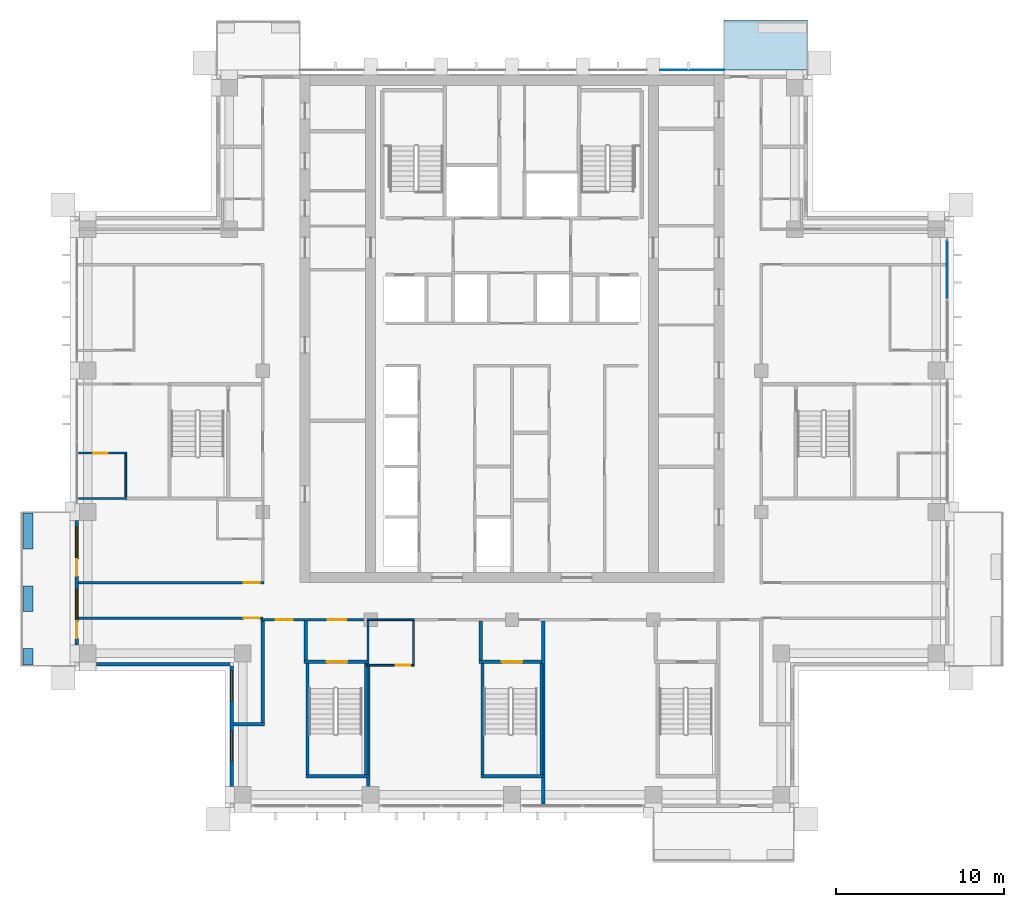
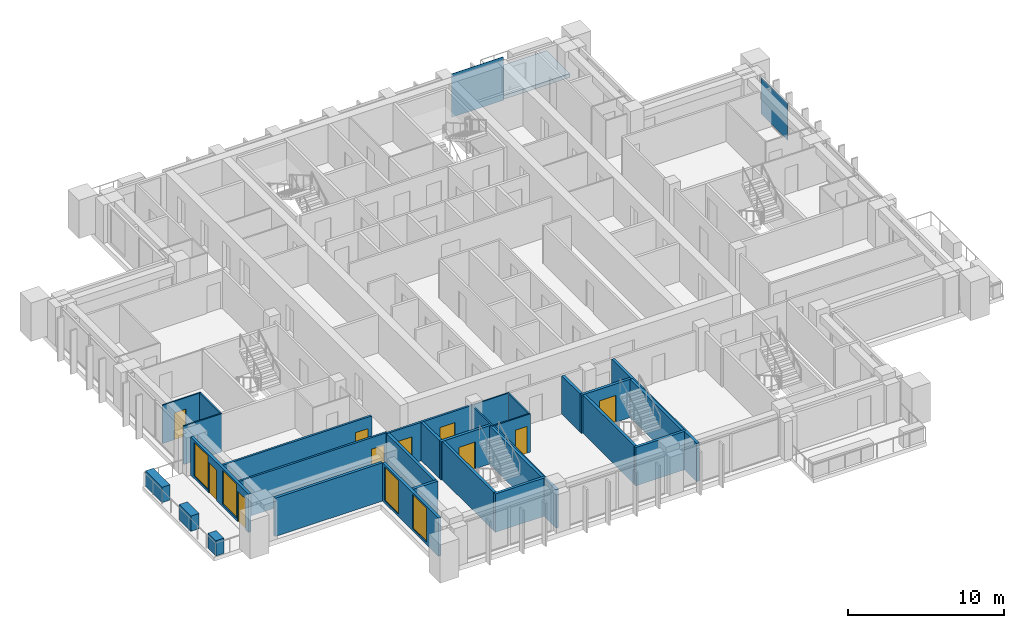
# One storey, part 9 of 19: 30 walls, 10 doors, 4 windows, 2 plates, 1 slab, 14 openings, 1 element without a shape of its own.
"""IFC4 building model written with IfcOpenShell, lengths in metres."""

from ifc_helpers import new_model, si_unit, direction, frame, frame_2d, origin, origin_2d, place, context, subcontext, project, spatial, polyline, rectangle, outline, extrude, material, layer, layer_set, type_object, element, fill, aggregate, save


model = new_model("IFC4")

# Units and contexts
model_context = context("Model", 3, precision=1e-05, world=origin(), true_north=direction((0.0, 1.0)))
body_context = subcontext(model_context, "Body", "Model", "MODEL_VIEW")
ifc_project = project(units=[si_unit("LENGTHUNIT", "METRE"), si_unit("AREAUNIT", "SQUARE_METRE"), si_unit("VOLUMEUNIT", "CUBIC_METRE"), si_unit("PLANEANGLEUNIT", "RADIAN"), si_unit("MASSUNIT", "GRAM", prefix="KILO")], contexts=[model_context])

# Site, building, storey
site_placement = place(None, origin())
site = spatial("IfcSite", under=ifc_project, at=site_placement, CompositionType="ELEMENT")
building_placement = place(site_placement, origin())
building = spatial("IfcBuilding", under=site, at=building_placement, Name="Vermilion Ogive Tower", CompositionType="ELEMENT")
storey_placement = place(building_placement, frame((0.0, 0.0, 213.5)))
storey = spatial("IfcBuildingStorey", under=building, at=storey_placement, Name="L56", CompositionType="ELEMENT", Elevation=213.5)

# Slab
ifc_material_1 = material(Name="Concrete B40", Category="concrete")
ifc_layer_1 = layer(ifc_material_1, 0.300048828125)
ifc_layer_set_1 = layer_set([ifc_layer_1], Name="Balcony slab")
slab_type = type_object("IfcSlabType", Name="Balcony slab", PredefinedType="FLOOR", material=ifc_layer_set_1)
slab_placement = place(storey_placement, frame((0.0, 0.0, -0.340087890625)))
element("IfcSlab", 1, at=slab_placement, inside=storey, type_object=slab_type, Name="Balcony slab N101", PredefinedType="FLOOR", context=body_context, shape_type="SweptSolid", body=[
    extrude(outline(polyline([(17.550048828125, 25.030029296875), (12.60009765625, 25.030029296875), (12.60009765625, 22.050048828125), (17.550048828125, 22.050048828125), (17.550048828125, 25.030029296875)])), origin(), (0.0, 0.0, 1.0), 0.300048828125),
])

# Curtain wall, plate
ifc_material_2 = material(Name="Low-iron laminated glazing in aluminium frame", Category="aluminium")
curtain_wall_type = type_object("IfcCurtainWallType", Name="Curtain wall CW7", PredefinedType="NOTDEFINED", material=ifc_material_2)
curtain_wall_placement = place(storey_placement, origin())
curtain_wall = element("IfcCurtainWall", 2, at=curtain_wall_placement, inside=storey, type_object=curtain_wall_type, Name="Glazed skin E3", PredefinedType="NOTDEFINED")
ifc_material_3 = material(Name="Low-iron laminated glazing in aluminium frame", Category="aluminium")
ifc_layer_2 = layer(ifc_material_3, 0.031982421875)
ifc_layer_set_2 = layer_set([ifc_layer_2], Name="CW7 glazing panel 32")
plate_type_1 = type_object("IfcPlateType", Name="CW7 glazing panel 32", PredefinedType="CURTAIN_PANEL", material=ifc_layer_set_2)
plate_1_placement = place(storey_placement, frame((25.85009765625, 10.205078125, 0.06005859375), z_axis=(0.0, 0.0, 1.0), x_axis=(0.0, 1.0, 0.0)))
plate_1 = element("IfcPlate", 3, at=plate_1_placement, type_object=plate_type_1, Name="CW7-E3 panel 2.1", PredefinedType="CURTAIN_PANEL", context=body_context, shape_type="SweptSolid", body=[
    extrude(rectangle(XDim=3.429931640625, YDim=0.031982421875, at=origin_2d()), origin(), (0.0, 0.0, 1.0), 2.8798828125),
])
aggregate(curtain_wall, [plate_1])

# Plate
ifc_material_4 = material(Name="Low-iron laminated glazing in aluminium frame", Category="aluminium")
ifc_layer_3 = layer(ifc_material_4, 0.031982421875)
ifc_layer_set_3 = layer_set([ifc_layer_3], Name="Glazed rainscreen sheet 32")
plate_type_2 = type_object("IfcPlateType", Name="Glazed rainscreen sheet 32", PredefinedType="SHEET", material=ifc_layer_set_3)
plate_2_placement = place(storey_placement, frame((10.7099609375, 22.06591796875, -0.39990234375), z_axis=(0.0, 0.0, 1.0), x_axis=(1.0, 0.0, 0.0)))
element("IfcPlate", 4, at=plate_2_placement, inside=storey, type_object=plate_type_2, Name="Glazed rainscreen sheet N6", PredefinedType="SHEET", context=body_context, shape_type="SweptSolid", body=[
    extrude(rectangle(XDim=3.820068359375, YDim=0.031982421875, at=origin_2d()), origin(), (0.0, 0.0, 1.0), 3.39990234375),
])

# Wall, opening, door
ifc_material_5 = material(Name="Gypsum board partition on steel studs", Category="steel")
ifc_layer_4 = layer(ifc_material_5, 0.10009765625)
ifc_layer_set_4 = layer_set([ifc_layer_4], Name="Partition 100 bath")
wall_type_1 = type_object("IfcWallType", Name="Partition 100 bath", PredefinedType="PARTITIONING", material=ifc_layer_set_4)
wall_1_placement = place(storey_placement, frame((-8.64990234375, -13.300048828125, 0.0), z_axis=(0.0, 0.0, 1.0), x_axis=(1.0, 0.0, 0.0)))
wall_1 = element("IfcWall", 5, at=wall_1_placement, inside=storey, type_object=wall_type_1, Name="L56-W-W006", PredefinedType="PARTITIONING", context=body_context, shape_type="SweptSolid", body=[
    extrude(rectangle(XDim=2.847900390625, YDim=0.10009765625, at=frame_2d((1.423828125, 0.0))), origin(), (0.0, 0.0, 1.0), 3.0),
])
opening_1_placement = place(wall_1_placement, frame((1.75, 0.0, 0.0)))
opening_1 = element("IfcOpeningElement", 6, at=opening_1_placement, cuts=wall_1, Name="Opening D4G6012", PredefinedType="OPENING", context=body_context, shape_type="SweptSolid", body=[
    extrude(rectangle(XDim=0.85009765625, YDim=2.10009765625, at=frame_2d((0.425048828125, 1.050048828125))), frame((0.0, 0.06005859375, 0.0), z_axis=(0.0, -1.0, 0.0), x_axis=(1.0, 0.0, 0.0)), (0.0, 0.0, 1.0), 0.1201171875),
])
ifc_material_6 = material(Name="Timber door leaf", Category="wood")
door_type_1 = type_object("IfcDoorType", Name="Bath door 850 x 2100 FD30", OperationType="SINGLE_SWING_LEFT", PredefinedType="DOOR", material=ifc_material_6)
door_1_placement = place(opening_1_placement, origin())
door_1 = element("IfcDoor", 7, at=door_1_placement, inside=storey, type_object=door_type_1, Name="L56-D-D012", OperationType="SINGLE_SWING_RIGHT", OverallHeight=2.10009765625, OverallWidth=0.85009765625, PredefinedType="DOOR", context=body_context, shape_type="SweptSolid", body=[
    extrude(rectangle(XDim=0.85009765625, YDim=2.10009765625, at=frame_2d((0.425048828125, 1.050048828125))), frame((0.0, 0.02490234375, 0.0), z_axis=(0.0, -1.0, 0.0), x_axis=(1.0, 0.0, 0.0)), (0.0, 0.0, 1.0), 0.050048828125),
])
fill(opening_1, door_1)

# Walls
wall_2_placement = place(storey_placement, frame((-8.60009765625, -10.60009765625, 0.0), z_axis=(0.0, 0.0, 1.0), x_axis=(1.0, 0.0, 0.0)))
element("IfcWall", 8, at=wall_2_placement, inside=storey, type_object=wall_type_1, Name="L56-W-W011", PredefinedType="PARTITIONING", context=body_context, shape_type="SweptSolid", body=[
    extrude(rectangle(XDim=2.800048828125, YDim=0.10009765625, at=frame_2d((1.39990234375, 0.0))), origin(), (0.0, 0.0, 1.0), 3.0),
])
wall_3_placement = place(storey_placement, frame((-25.75, -3.39990234375, 0.0), z_axis=(0.0, 0.0, 1.0), x_axis=(1.0, 0.0, 0.0)))
element("IfcWall", 9, at=wall_3_placement, inside=storey, type_object=wall_type_1, Name="L56-W-W018", PredefinedType="PARTITIONING", context=body_context, shape_type="SweptSolid", body=[
    extrude(rectangle(XDim=2.85009765625, YDim=0.10009765625, at=frame_2d((1.425048828125, 0.0))), origin(), (0.0, 0.0, 1.0), 3.0),
])

# Wall, opening, door
wall_4_placement = place(storey_placement, frame((-25.75, -0.699951171875, 0.0), z_axis=(0.0, 0.0, 1.0), x_axis=(1.0, 0.0, 0.0)))
wall_4 = element("IfcWall", 10, at=wall_4_placement, inside=storey, type_object=wall_type_1, Name="L56-W-W023", PredefinedType="PARTITIONING", context=body_context, shape_type="SweptSolid", body=[
    extrude(rectangle(XDim=2.85009765625, YDim=0.10009765625, at=frame_2d((1.425048828125, 0.0))), origin(), (0.0, 0.0, 1.0), 3.0),
])
opening_2_placement = place(wall_4_placement, frame((0.875, 0.0, 0.0)))
opening_2 = element("IfcOpeningElement", 11, at=opening_2_placement, cuts=wall_4, Name="Opening D4G6007", PredefinedType="OPENING", context=body_context, shape_type="SweptSolid", body=[
    extrude(rectangle(XDim=0.85009765625, YDim=2.10009765625, at=frame_2d((0.425048828125, 1.050048828125))), frame((0.0, 0.06005859375, 0.0), z_axis=(0.0, -1.0, 0.0), x_axis=(1.0, 0.0, 0.0)), (0.0, 0.0, 1.0), 0.1201171875),
])
door_2_placement = place(opening_2_placement, origin())
door_2 = element("IfcDoor", 12, at=door_2_placement, inside=storey, type_object=door_type_1, Name="L56-D-D007", OperationType="SINGLE_SWING_RIGHT", OverallHeight=2.10009765625, OverallWidth=0.85009765625, PredefinedType="DOOR", context=body_context, shape_type="SweptSolid", body=[
    extrude(rectangle(XDim=0.85009765625, YDim=2.10009765625, at=frame_2d((0.425048828125, 1.050048828125))), frame((0.0, 0.02490234375, 0.0), z_axis=(0.0, -1.0, 0.0), x_axis=(1.0, 0.0, 0.0)), (0.0, 0.0, 1.0), 0.050048828125),
])
fill(opening_2, door_2)

# Walls
wall_5_placement = place(storey_placement, frame((-22.949951171875, -3.300048828125, 0.0), z_axis=(0.0, 0.0, 1.0), x_axis=(0.0, 1.0, 0.0)))
element("IfcWall", 13, at=wall_5_placement, inside=storey, type_object=wall_type_1, Name="L56-W-W041", PredefinedType="PARTITIONING", context=body_context, shape_type="SweptSolid", body=[
    extrude(rectangle(XDim=2.550048828125, YDim=0.10009765625, at=frame_2d((1.27490234375, 0.0))), origin(), (0.0, 0.0, 1.0), 3.0),
])
wall_6_placement = place(storey_placement, frame((-8.550048828125, -13.25, 0.0), z_axis=(0.0, 0.0, 1.0), x_axis=(0.0, 1.0, 0.0)))
element("IfcWall", 14, at=wall_6_placement, inside=storey, type_object=wall_type_1, Name="L56-W-W057", PredefinedType="PARTITIONING", context=body_context, shape_type="SweptSolid", body=[
    extrude(rectangle(XDim=2.574951171875, YDim=0.10009765625, at=frame_2d((1.28759765625, 0.0))), origin(), (0.0, 0.0, 1.0), 3.0),
])
wall_7_placement = place(storey_placement, frame((-5.85009765625, -13.248046875, 0.0), z_axis=(0.0, 0.0, 1.0), x_axis=(0.0, 1.0, 0.0)))
element("IfcWall", 15, at=wall_7_placement, inside=storey, type_object=wall_type_1, Name="L56-W-W058", PredefinedType="PARTITIONING", context=body_context, shape_type="SweptSolid", body=[
    extrude(rectangle(XDim=2.572998046875, YDim=0.10009765625, at=frame_2d((1.28662109375, 0.0))), origin(), (0.0, 0.0, 1.0), 3.0),
])

# Wall, openings, doors
ifc_material_7 = material(Name="Gypsum board partition on steel studs", Category="steel")
ifc_layer_5 = layer(ifc_material_7, 0.14990234375)
ifc_layer_set_5 = layer_set([ifc_layer_5], Name="Partition 150 corridor")
wall_type_2 = type_object("IfcWallType", Name="Partition 150 corridor", PredefinedType="PARTITIONING", material=ifc_layer_set_5)
wall_8_placement = place(storey_placement, frame((-14.89990234375, -10.60009765625, 0.0), z_axis=(0.0, 0.0, 1.0), x_axis=(1.0, 0.0, 0.0)))
wall_8 = element("IfcWall", 16, at=wall_8_placement, inside=storey, type_object=wall_type_2, Name="L56-W-W010", PredefinedType="PARTITIONING", context=body_context, shape_type="SweptSolid", body=[
    extrude(rectangle(XDim=6.39990234375, YDim=0.14990234375, at=frame_2d((3.199951171875, 0.0))), origin(), (0.0, 0.0, 1.0), 3.0),
])
opening_3_placement = place(wall_8_placement, frame((3.949951171875, 0.0, 0.0)))
opening_3 = element("IfcOpeningElement", 17, at=opening_3_placement, cuts=wall_8, Name="Opening D4G6023", PredefinedType="OPENING", context=body_context, shape_type="SweptSolid", body=[
    extrude(rectangle(XDim=1.10009765625, YDim=2.10009765625, at=frame_2d((0.550048828125, 1.050048828125))), frame((0.0, 0.0849609375, 0.0), z_axis=(0.0, -1.0, 0.0), x_axis=(1.0, 0.0, 0.0)), (0.0, 0.0, 1.0), 0.169921875),
])
opening_4_placement = place(wall_8_placement, frame((0.875, 0.0, 0.0)))
opening_4 = element("IfcOpeningElement", 18, at=opening_4_placement, cuts=wall_8, Name="Opening D4G6033", PredefinedType="OPENING", context=body_context, shape_type="SweptSolid", body=[
    extrude(rectangle(XDim=1.0, YDim=2.10009765625, at=frame_2d((0.5, 1.050048828125))), frame((0.0, 0.0849609375, 0.0), z_axis=(0.0, -1.0, 0.0), x_axis=(1.0, 0.0, 0.0)), (0.0, 0.0, 1.0), 0.169921875),
])
ifc_material_8 = material(Name="Timber door leaf", Category="wood")
door_type_2 = type_object("IfcDoorType", Name="Stair door 1100 x 2100 FD60S", OperationType="SINGLE_SWING_LEFT", PredefinedType="DOOR", material=ifc_material_8)
door_3_placement = place(opening_3_placement, origin())
door_3 = element("IfcDoor", 19, at=door_3_placement, inside=storey, type_object=door_type_2, Name="L56-D-D023", OperationType="SINGLE_SWING_RIGHT", OverallHeight=2.10009765625, OverallWidth=1.10009765625, PredefinedType="DOOR", context=body_context, shape_type="SweptSolid", body=[
    extrude(rectangle(XDim=1.10009765625, YDim=2.10009765625, at=frame_2d((0.550048828125, 1.050048828125))), frame((0.0, 0.02490234375, 0.0), z_axis=(0.0, -1.0, 0.0), x_axis=(1.0, 0.0, 0.0)), (0.0, 0.0, 1.0), 0.050048828125),
])
fill(opening_3, door_3)
ifc_material_9 = material(Name="Timber door leaf", Category="wood")
door_type_3 = type_object("IfcDoorType", Name="Unit door 1000 x 2100 FD30S", OperationType="SINGLE_SWING_LEFT", PredefinedType="DOOR", material=ifc_material_9)
door_4_placement = place(opening_4_placement, origin())
door_4 = element("IfcDoor", 20, at=door_4_placement, inside=storey, type_object=door_type_3, Name="L56-D-D033", OperationType="SINGLE_SWING_RIGHT", OverallHeight=2.10009765625, OverallWidth=1.0, PredefinedType="DOOR", context=body_context, shape_type="SweptSolid", body=[
    extrude(rectangle(XDim=1.0, YDim=2.10009765625, at=frame_2d((0.5, 1.050048828125))), frame((0.0, 0.02490234375, 0.0), z_axis=(0.0, -1.0, 0.0), x_axis=(1.0, 0.0, 0.0)), (0.0, 0.0, 1.0), 0.050048828125),
])
fill(opening_4, door_4)

# Wall, opening, door
wall_9_placement = place(storey_placement, frame((-25.75, -10.5, 0.0), z_axis=(0.0, 0.0, 1.0), x_axis=(1.0, 0.0, 0.0)))
wall_9 = element("IfcWall", 21, at=wall_9_placement, inside=storey, type_object=wall_type_2, Name="L56-W-W013", PredefinedType="PARTITIONING", context=body_context, shape_type="SweptSolid", body=[
    extrude(rectangle(XDim=10.949951171875, YDim=0.14990234375, at=frame_2d((5.47509765625, 0.0))), origin(), (0.0, 0.0, 1.0), 3.0),
])
opening_5_placement = place(wall_9_placement, frame((9.800048828125, 0.0, 0.0)))
opening_5 = element("IfcOpeningElement", 22, at=opening_5_placement, cuts=wall_9, Name="Opening D4G6001", PredefinedType="OPENING", context=body_context, shape_type="SweptSolid", body=[
    extrude(rectangle(XDim=0.949951171875, YDim=2.10009765625, at=frame_2d((0.47509765625, 1.050048828125))), frame((0.0, 0.0849609375, 0.0), z_axis=(0.0, -1.0, 0.0), x_axis=(1.0, 0.0, 0.0)), (0.0, 0.0, 1.0), 0.169921875),
])
ifc_material_10 = material(Name="Timber door leaf", Category="wood")
door_type_4 = type_object("IfcDoorType", Name="Unit door 950 x 2100 FD30S", OperationType="SINGLE_SWING_LEFT", PredefinedType="DOOR", material=ifc_material_10)
door_5_placement = place(opening_5_placement, origin())
door_5 = element("IfcDoor", 23, at=door_5_placement, inside=storey, type_object=door_type_4, Name="L56-D-D001", OperationType="SINGLE_SWING_RIGHT", OverallHeight=2.10009765625, OverallWidth=0.949951171875, PredefinedType="DOOR", context=body_context, shape_type="SweptSolid", body=[
    extrude(rectangle(XDim=0.949951171875, YDim=2.10009765625, at=frame_2d((0.47509765625, 1.050048828125))), frame((0.0, 0.02490234375, 0.0), z_axis=(0.0, -1.0, 0.0), x_axis=(1.0, 0.0, 0.0)), (0.0, 0.0, 1.0), 0.050048828125),
])
fill(opening_5, door_5)

wall_10_placement = place(storey_placement, frame((-25.75, -8.39990234375, 0.0), z_axis=(0.0, 0.0, 1.0), x_axis=(1.0, 0.0, 0.0)))
wall_10 = element("IfcWall", 24, at=wall_10_placement, inside=storey, type_object=wall_type_2, Name="L56-W-W015", PredefinedType="PARTITIONING", context=body_context, shape_type="SweptSolid", body=[
    extrude(rectangle(XDim=11.02490234375, YDim=0.14990234375, at=frame_2d((5.512451171875, 0.0))), origin(), (0.0, 0.0, 1.0), 3.0),
])
opening_6_placement = place(wall_10_placement, frame((9.800048828125, 0.0, 0.0)))
opening_6 = element("IfcOpeningElement", 25, at=opening_6_placement, cuts=wall_10, Name="Opening D4G6002", PredefinedType="OPENING", context=body_context, shape_type="SweptSolid", body=[
    extrude(rectangle(XDim=0.949951171875, YDim=2.10009765625, at=frame_2d((0.47509765625, 1.050048828125))), frame((0.0, 0.0849609375, 0.0), z_axis=(0.0, -1.0, 0.0), x_axis=(1.0, 0.0, 0.0)), (0.0, 0.0, 1.0), 0.169921875),
])
door_6_placement = place(opening_6_placement, origin())
door_6 = element("IfcDoor", 26, at=door_6_placement, inside=storey, type_object=door_type_4, Name="L56-D-D002", OperationType="SINGLE_SWING_LEFT", OverallHeight=2.10009765625, OverallWidth=0.949951171875, PredefinedType="DOOR", context=body_context, shape_type="SweptSolid", body=[
    extrude(rectangle(XDim=0.949951171875, YDim=2.10009765625, at=frame_2d((0.47509765625, 1.050048828125))), frame((0.0, 0.02490234375, 0.0), z_axis=(0.0, -1.0, 0.0), x_axis=(1.0, 0.0, 0.0)), (0.0, 0.0, 1.0), 0.050048828125),
])
fill(opening_6, door_6)

# Walls
ifc_material_11 = material(Name="Gypsum board partition on steel studs", Category="steel")
ifc_layer_6 = layer(ifc_material_11, 0.199951171875)
ifc_layer_set_6 = layer_set([ifc_layer_6], Name="Partition 200 party")
wall_type_3 = type_object("IfcWallType", Name="Partition 200 party", PredefinedType="PARTITIONING", material=ifc_layer_set_6)
wall_11_placement = place(storey_placement, frame((-16.550048828125, -16.800048828125, 0.0), z_axis=(0.0, 0.0, 1.0), x_axis=(1.0, 0.0, 0.0)))
element("IfcWall", 27, at=wall_11_placement, inside=storey, type_object=wall_type_3, Name="L56-W-W004", PredefinedType="PARTITIONING", context=body_context, shape_type="SweptSolid", body=[
    extrude(rectangle(XDim=1.84814453125, YDim=0.199951171875, at=frame_2d((0.924072265625, 0.0))), origin(), (0.0, 0.0, 1.0), 3.0),
])
wall_12_placement = place(storey_placement, frame((-14.800048828125, -16.697998046875, 0.0), z_axis=(0.0, 0.0, 1.0), x_axis=(0.0, 1.0, 0.0)))
element("IfcWall", 28, at=wall_12_placement, inside=storey, type_object=wall_type_3, Name="L56-W-W047", PredefinedType="PARTITIONING", context=body_context, shape_type="SweptSolid", body=[
    extrude(rectangle(XDim=6.02294921875, YDim=0.199951171875, at=frame_2d((3.011474609375, 0.0))), origin(), (0.0, 0.0, 1.0), 3.0),
])
for number, where, z_axis, x_axis, name in (
    (29, (-12.25, -12.998046875, 0.0), (0.0, 0.0, 1.0), (0.0, 1.0, 0.0), "L56-W-W053"),
    (30, (-1.85009765625, -12.998046875, 0.0), (0.0, 0.0, 1.0), (0.0, 1.0, 0.0), "L56-W-W059"),
):
    element("IfcWall", number, at=place(storey_placement, frame(where, z_axis=z_axis, x_axis=x_axis)), inside=storey, type_object=wall_type_3, Name=name, PredefinedType="PARTITIONING", context=body_context, shape_type="SweptSolid", body=[
        extrude(rectangle(XDim=2.322998046875, YDim=0.199951171875, at=frame_2d((1.16162109375, 0.0))), origin(), (0.0, 0.0, 1.0), 3.0),
    ])
ifc_material_12 = material(Name="Concrete B60", Category="concrete")
ifc_layer_7 = layer(ifc_material_12, 0.199951171875)
ifc_layer_set_7 = layer_set([ifc_layer_7], Name="Stair shaft wall 200 Concrete B60")
wall_type_4 = type_object("IfcWallType", Name="Stair shaft wall 200 Concrete B60", PredefinedType="SOLIDWALL", material=ifc_layer_set_7)
wall_13_placement = place(storey_placement, frame((-12.248046875, -19.89990234375, 0.0), z_axis=(0.0, 0.0, 1.0), x_axis=(1.0, 0.0, 0.0)))
element("IfcWall", 31, at=wall_13_placement, inside=storey, type_object=wall_type_4, Name="L56-W-W001", PredefinedType="SOLIDWALL", context=body_context, shape_type="SweptSolid", body=[
    extrude(rectangle(XDim=3.696044921875, YDim=0.199951171875, at=frame_2d((1.84814453125, 0.0))), origin(), (0.0, 0.0, 1.0), 3.0),
])
wall_14_placement = place(storey_placement, frame((-1.847900390625, -19.89990234375, 0.0), z_axis=(0.0, 0.0, 1.0), x_axis=(1.0, 0.0, 0.0)))
element("IfcWall", 32, at=wall_14_placement, inside=storey, type_object=wall_type_4, Name="L56-W-W002", PredefinedType="SOLIDWALL", context=body_context, shape_type="SweptSolid", body=[
    extrude(rectangle(XDim=3.69580078125, YDim=0.199951171875, at=frame_2d((1.847900390625, 0.0))), origin(), (0.0, 0.0, 1.0), 3.0),
])

# Wall, opening, door
wall_15_placement = place(storey_placement, frame((-12.347900390625, -13.10009765625, 0.0), z_axis=(0.0, 0.0, 1.0), x_axis=(1.0, 0.0, 0.0)))
wall_15 = element("IfcWall", 33, at=wall_15_placement, inside=storey, type_object=wall_type_4, Name="L56-W-W007", PredefinedType="SOLIDWALL", context=body_context, shape_type="SweptSolid", body=[
    extrude(rectangle(XDim=3.745849609375, YDim=0.199951171875, at=frame_2d((1.873046875, 0.0))), origin(), (0.0, 0.0, 1.0), 3.0),
])
opening_7_placement = place(wall_15_placement, frame((1.347900390625, 0.0, 0.0)))
opening_7 = element("IfcOpeningElement", 34, at=opening_7_placement, cuts=wall_15, Name="Opening D4G6024", PredefinedType="OPENING", context=body_context, shape_type="SweptSolid", body=[
    extrude(rectangle(XDim=1.199951171875, YDim=2.10009765625, at=frame_2d((0.60009765625, 1.050048828125))), frame((0.0, 0.10986328125, 0.0), z_axis=(0.0, -1.0, 0.0), x_axis=(1.0, 0.0, 0.0)), (0.0, 0.0, 1.0), 0.219970703125),
])
ifc_material_13 = material(Name="Timber door leaf", Category="wood")
door_type_5 = type_object("IfcDoorType", Name="Stair door 1200 x 2100 FD60S", OperationType="SINGLE_SWING_LEFT", PredefinedType="DOOR", material=ifc_material_13)
door_7_placement = place(opening_7_placement, origin())
door_7 = element("IfcDoor", 35, at=door_7_placement, inside=storey, type_object=door_type_5, Name="L56-D-D024", OperationType="SINGLE_SWING_RIGHT", OverallHeight=2.10009765625, OverallWidth=1.199951171875, PredefinedType="DOOR", context=body_context, shape_type="SweptSolid", body=[
    extrude(rectangle(XDim=1.199951171875, YDim=2.10009765625, at=frame_2d((0.60009765625, 1.050048828125))), frame((0.0, 0.02490234375, 0.0), z_axis=(0.0, -1.0, 0.0), x_axis=(1.0, 0.0, 0.0)), (0.0, 0.0, 1.0), 0.050048828125),
])
fill(opening_7, door_7)

wall_16_placement = place(storey_placement, frame((-1.947998046875, -13.10009765625, 0.0), z_axis=(0.0, 0.0, 1.0), x_axis=(1.0, 0.0, 0.0)))
wall_16 = element("IfcWall", 36, at=wall_16_placement, inside=storey, type_object=wall_type_4, Name="L56-W-W008", PredefinedType="SOLIDWALL", context=body_context, shape_type="SweptSolid", body=[
    extrude(rectangle(XDim=3.696044921875, YDim=0.199951171875, at=frame_2d((1.84814453125, 0.0))), origin(), (0.0, 0.0, 1.0), 3.0),
])
opening_8_placement = place(wall_16_placement, frame((1.347900390625, 0.0, 0.0)))
opening_8 = element("IfcOpeningElement", 37, at=opening_8_placement, cuts=wall_16, Name="Opening D4G6026", PredefinedType="OPENING", context=body_context, shape_type="SweptSolid", body=[
    extrude(rectangle(XDim=1.199951171875, YDim=2.10009765625, at=frame_2d((0.60009765625, 1.050048828125))), frame((0.0, 0.10986328125, 0.0), z_axis=(0.0, -1.0, 0.0), x_axis=(1.0, 0.0, 0.0)), (0.0, 0.0, 1.0), 0.219970703125),
])
door_8_placement = place(opening_8_placement, origin())
door_8 = element("IfcDoor", 38, at=door_8_placement, inside=storey, type_object=door_type_5, Name="L56-D-D026", OperationType="SINGLE_SWING_RIGHT", OverallHeight=2.10009765625, OverallWidth=1.199951171875, PredefinedType="DOOR", context=body_context, shape_type="SweptSolid", body=[
    extrude(rectangle(XDim=1.199951171875, YDim=2.10009765625, at=frame_2d((0.60009765625, 1.050048828125))), frame((0.0, 0.02490234375, 0.0), z_axis=(0.0, -1.0, 0.0), x_axis=(1.0, 0.0, 0.0)), (0.0, 0.0, 1.0), 0.050048828125),
])
fill(opening_8, door_8)

# Walls
for number, where, z_axis, x_axis, name in (
    (39, (-12.14990234375, -19.798095703125, 0.0), (0.0, 0.0, 1.0), (0.0, 1.0, 0.0), "L56-W-W054"),
    (40, (-8.64990234375, -19.798095703125, 0.0), (0.0, 0.0, 1.0), (0.0, 1.0, 0.0), "L56-W-W055"),
    (41, (-1.75, -19.798095703125, 0.0), (0.0, 0.0, 1.0), (0.0, 1.0, 0.0), "L56-W-W060"),
    (42, (1.75, -19.798095703125, 0.0), (0.0, 0.0, 1.0), (0.0, 1.0, 0.0), "L56-W-W061"),
):
    element("IfcWall", number, at=place(storey_placement, frame(where, z_axis=z_axis, x_axis=x_axis)), inside=storey, type_object=wall_type_4, Name=name, PredefinedType="SOLIDWALL", context=body_context, shape_type="SweptSolid", body=[
        extrude(rectangle(XDim=6.59619140625, YDim=0.199951171875, at=frame_2d((3.298095703125, 0.0))), origin(), (0.0, 0.0, 1.0), 3.0),
    ])
wall_17_placement = place(storey_placement, frame((-8.550048828125, -21.550048828125, 0.0), z_axis=(0.0, 0.0, 1.0), x_axis=(0.0, 1.0, 0.0)))
element("IfcWall", 43, at=wall_17_placement, inside=storey, type_object=wall_type_4, Name="L56-W-W056-A", PredefinedType="SOLIDWALL", context=body_context, shape_type="SweptSolid", body=[
    extrude(rectangle(XDim=8.199951171875, YDim=0.199951171875, at=frame_2d((4.10009765625, 0.0))), origin(), (0.0, 0.0, 1.0), 3.0),
])
wall_18_placement = place(storey_placement, frame((1.85009765625, -21.550048828125, 0.0), z_axis=(0.0, 0.0, 1.0), x_axis=(0.0, 1.0, 0.0)))
element("IfcWall", 44, at=wall_18_placement, inside=storey, type_object=wall_type_4, Name="L56-W-W062-A", PredefinedType="SOLIDWALL", context=body_context, shape_type="SweptSolid", body=[
    extrude(rectangle(XDim=10.875, YDim=0.199951171875, at=frame_2d((5.4375, 0.0))), origin(), (0.0, 0.0, 1.0), 3.0),
])
ifc_material_14 = material(Name="Concrete B40", Category="concrete")
ifc_layer_8 = layer(ifc_material_14, 0.60009765625)
ifc_layer_set_8 = layer_set([ifc_layer_8], Name="Structural planter")
wall_type_5 = type_object("IfcWallType", Name="Structural planter", PredefinedType="USERDEFINED", material=ifc_layer_set_8)
wall_19_placement = place(storey_placement, frame((-28.75, -4.260009765625, -0.0400390625), z_axis=(0.0, 0.0, 1.0), x_axis=(0.0, -1.0, 0.0)))
element("IfcWall", 45, at=wall_19_placement, inside=storey, type_object=wall_type_5, Name="Planter W03A1", ObjectType="PLANTER", PredefinedType="USERDEFINED", context=body_context, shape_type="SweptSolid", body=[
    extrude(rectangle(XDim=2.139892578125, YDim=0.60009765625, at=frame_2d((1.06982421875, 0.0))), origin(), (0.0, 0.0, 1.0), 1.199951171875),
])
wall_20_placement = place(storey_placement, frame((-28.75, -8.60009765625, -0.0400390625), z_axis=(0.0, 0.0, 1.0), x_axis=(0.0, -1.0, 0.0)))
element("IfcWall", 46, at=wall_20_placement, inside=storey, type_object=wall_type_5, Name="Planter W03A2", ObjectType="PLANTER", PredefinedType="USERDEFINED", context=body_context, shape_type="SweptSolid", body=[
    extrude(rectangle(XDim=1.5, YDim=0.60009765625, at=frame_2d((0.75, 0.0))), origin(), (0.0, 0.0, 1.0), 1.199951171875),
])
wall_21_placement = place(storey_placement, frame((-28.75, -12.300048828125, -0.0400390625), z_axis=(0.0, 0.0, 1.0), x_axis=(0.0, -1.0, 0.0)))
element("IfcWall", 47, at=wall_21_placement, inside=storey, type_object=wall_type_5, Name="Planter W03A3", ObjectType="PLANTER", PredefinedType="USERDEFINED", context=body_context, shape_type="SweptSolid", body=[
    extrude(rectangle(XDim=0.989990234375, YDim=0.60009765625, at=frame_2d((0.4951171875, 0.0))), origin(), (0.0, 0.0, 1.0), 1.199951171875),
])

# Wall, openings, doors, windows
ifc_material_15 = material(Name="Aluminium window wall framing", Category="aluminium")
ifc_layer_9 = layer(ifc_material_15, 0.199951171875)
ifc_layer_set_9 = layer_set([ifc_layer_9], Name="Window wall")
wall_type_6 = type_object("IfcWallType", Name="Window wall", PredefinedType="STANDARD", material=ifc_layer_set_9)
wall_22_placement = place(storey_placement, frame((-25.85009765625, -4.699951171875, 0.0), z_axis=(0.0, 0.0, 1.0), x_axis=(0.0, -1.0, 0.0)))
wall_22 = element("IfcWall", 48, at=wall_22_placement, inside=storey, type_object=wall_type_6, Name="Window wall W3", PredefinedType="STANDARD", context=body_context, shape_type="SweptSolid", body=[
    extrude(rectangle(XDim=7.400146484375, YDim=0.199951171875, at=frame_2d((3.7001953125, 0.0))), origin(), (0.0, 0.0, 1.0), 3.0),
])
opening_9_placement = place(wall_22_placement, frame((4.10009765625, 0.0, 0.199951171875)))
opening_9 = element("IfcOpeningElement", 49, at=opening_9_placement, cuts=wall_22, Name="Opening W1-W97", PredefinedType="OPENING", context=body_context, shape_type="SweptSolid", body=[
    extrude(rectangle(XDim=1.800048828125, YDim=2.64990234375, at=frame_2d((0.89990234375, 1.324951171875))), frame((0.0, 0.10986328125, 0.0), z_axis=(0.0, -1.0, 0.0), x_axis=(1.0, 0.0, 0.0)), (0.0, 0.0, 1.0), 0.219970703125),
])
opening_10_placement = place(wall_22_placement, frame((6.0, 0.0, 0.0)))
opening_10 = element("IfcOpeningElement", 50, at=opening_10_placement, cuts=wall_22, Name="Opening D1-W97", PredefinedType="OPENING", context=body_context, shape_type="SweptSolid", body=[
    extrude(rectangle(XDim=1.0, YDim=2.39990234375, at=frame_2d((0.5, 1.199951171875))), frame((0.0, 0.10986328125, 0.0), z_axis=(0.0, -1.0, 0.0), x_axis=(1.0, 0.0, 0.0)), (0.0, 0.0, 1.0), 0.219970703125),
])
opening_11_placement = place(wall_22_placement, frame((0.39990234375, 0.0, 0.199951171875)))
opening_11 = element("IfcOpeningElement", 51, at=opening_11_placement, cuts=wall_22, Name="Opening W1-W98", PredefinedType="OPENING", context=body_context, shape_type="SweptSolid", body=[
    extrude(rectangle(XDim=1.800048828125, YDim=2.64990234375, at=frame_2d((0.89990234375, 1.324951171875))), frame((0.0, 0.10986328125, 0.0), z_axis=(0.0, -1.0, 0.0), x_axis=(1.0, 0.0, 0.0)), (0.0, 0.0, 1.0), 0.219970703125),
])
opening_12_placement = place(wall_22_placement, frame((2.300048828125, 0.0, 0.0)))
opening_12 = element("IfcOpeningElement", 52, at=opening_12_placement, cuts=wall_22, Name="Opening D1-W98", PredefinedType="OPENING", context=body_context, shape_type="SweptSolid", body=[
    extrude(rectangle(XDim=1.0, YDim=2.39990234375, at=frame_2d((0.5, 1.199951171875))), frame((0.0, 0.10986328125, 0.0), z_axis=(0.0, -1.0, 0.0), x_axis=(1.0, 0.0, 0.0)), (0.0, 0.0, 1.0), 0.219970703125),
])
ifc_material_16 = material(Name="Aluminium framed glazed door", Category="aluminium")
door_type_6 = type_object("IfcDoorType", Name="Balcony door D1", OperationType="SINGLE_SWING_LEFT", PredefinedType="DOOR", material=ifc_material_16)
door_9_placement = place(opening_10_placement, origin())
door_9 = element("IfcDoor", 53, at=door_9_placement, inside=storey, type_object=door_type_6, Name="Balcony door W97", OperationType="SINGLE_SWING_LEFT", OverallHeight=2.39990234375, OverallWidth=1.0, PredefinedType="DOOR", context=body_context, shape_type="SweptSolid", body=[
    extrude(rectangle(XDim=1.0, YDim=2.39990234375, at=frame_2d((0.5, 1.199951171875))), frame((0.0, 0.02490234375, 0.0), z_axis=(0.0, -1.0, 0.0), x_axis=(1.0, 0.0, 0.0)), (0.0, 0.0, 1.0), 0.050048828125),
])
fill(opening_10, door_9)
door_10_placement = place(opening_12_placement, origin())
door_10 = element("IfcDoor", 54, at=door_10_placement, inside=storey, type_object=door_type_6, Name="Balcony door W98", OperationType="SINGLE_SWING_LEFT", OverallHeight=2.39990234375, OverallWidth=1.0, PredefinedType="DOOR", context=body_context, shape_type="SweptSolid", body=[
    extrude(rectangle(XDim=1.0, YDim=2.39990234375, at=frame_2d((0.5, 1.199951171875))), frame((0.0, 0.02490234375, 0.0), z_axis=(0.0, -1.0, 0.0), x_axis=(1.0, 0.0, 0.0)), (0.0, 0.0, 1.0), 0.050048828125),
])
fill(opening_12, door_10)
ifc_material_17 = material(Name="Aluminium framed double glazing", Category="aluminium")
window_type = type_object("IfcWindowType", Name="Guest window W1", PartitioningType="SINGLE_PANEL", PredefinedType="WINDOW", material=ifc_material_17)
window_1_placement = place(opening_9_placement, origin())
window_1 = element("IfcWindow", 55, at=window_1_placement, inside=storey, type_object=window_type, Name="Window W97", OverallHeight=2.64990234375, OverallWidth=1.800048828125, PartitioningType="SINGLE_PANEL", PredefinedType="WINDOW", context=body_context, shape_type="SweptSolid", body=[
    extrude(rectangle(XDim=1.800048828125, YDim=2.64990234375, at=frame_2d((0.89990234375, 1.324951171875))), frame((0.0, 0.030029296875, 0.0), z_axis=(0.0, -1.0, 0.0), x_axis=(1.0, 0.0, 0.0)), (0.0, 0.0, 1.0), 0.06005859375),
])
fill(opening_9, window_1)
window_2_placement = place(opening_11_placement, origin())
window_2 = element("IfcWindow", 56, at=window_2_placement, inside=storey, type_object=window_type, Name="Window W98", OverallHeight=2.64990234375, OverallWidth=1.800048828125, PartitioningType="SINGLE_PANEL", PredefinedType="WINDOW", context=body_context, shape_type="SweptSolid", body=[
    extrude(rectangle(XDim=1.800048828125, YDim=2.64990234375, at=frame_2d((0.89990234375, 1.324951171875))), frame((0.0, 0.030029296875, 0.0), z_axis=(0.0, -1.0, 0.0), x_axis=(1.0, 0.0, 0.0)), (0.0, 0.0, 1.0), 0.06005859375),
])
fill(opening_11, window_2)

# Wall
wall_23_placement = place(storey_placement, frame((-24.699951171875, -13.25, 0.0), z_axis=(0.0, 0.0, 1.0), x_axis=(1.0, 0.0, 0.0)))
element("IfcWall", 57, at=wall_23_placement, inside=storey, type_object=wall_type_6, Name="Window wall X71", PredefinedType="STANDARD", context=body_context, shape_type="SweptSolid", body=[
    extrude(rectangle(XDim=7.949951171875, YDim=0.199951171875, at=frame_2d((3.97509765625, 0.0))), origin(), (0.0, 0.0, 1.0), 3.0),
])

# Wall, openings, windows
wall_24_placement = place(storey_placement, frame((-16.64990234375, -13.35009765625, 0.0), z_axis=(0.0, 0.0, 1.0), x_axis=(0.0, -1.0, 0.0)))
wall_24 = element("IfcWall", 58, at=wall_24_placement, inside=storey, type_object=wall_type_6, Name="Window wall X81", PredefinedType="STANDARD", context=body_context, shape_type="SweptSolid", body=[
    extrude(rectangle(XDim=7.14990234375, YDim=0.199951171875, at=frame_2d((3.574951171875, 0.0))), origin(), (0.0, 0.0, 1.0), 3.0),
])
opening_13_placement = place(wall_24_placement, frame((3.85009765625, 0.0, 0.199951171875)))
opening_13 = element("IfcOpeningElement", 59, at=opening_13_placement, cuts=wall_24, Name="Opening W1-X895", PredefinedType="OPENING", context=body_context, shape_type="SweptSolid", body=[
    extrude(rectangle(XDim=1.800048828125, YDim=2.64990234375, at=frame_2d((0.89990234375, 1.324951171875))), frame((0.0, 0.10986328125, 0.0), z_axis=(0.0, -1.0, 0.0), x_axis=(1.0, 0.0, 0.0)), (0.0, 0.0, 1.0), 0.219970703125),
])
opening_14_placement = place(wall_24_placement, frame((0.27490234375, 0.0, 0.199951171875)))
opening_14 = element("IfcOpeningElement", 60, at=opening_14_placement, cuts=wall_24, Name="Opening W1-X896", PredefinedType="OPENING", context=body_context, shape_type="SweptSolid", body=[
    extrude(rectangle(XDim=1.800048828125, YDim=2.64990234375, at=frame_2d((0.89990234375, 1.324951171875))), frame((0.0, 0.10986328125, 0.0), z_axis=(0.0, -1.0, 0.0), x_axis=(1.0, 0.0, 0.0)), (0.0, 0.0, 1.0), 0.219970703125),
])
window_3_placement = place(opening_13_placement, origin())
window_3 = element("IfcWindow", 61, at=window_3_placement, inside=storey, type_object=window_type, Name="Window X895", OverallHeight=2.64990234375, OverallWidth=1.800048828125, PartitioningType="SINGLE_PANEL", PredefinedType="WINDOW", context=body_context, shape_type="SweptSolid", body=[
    extrude(rectangle(XDim=1.800048828125, YDim=2.64990234375, at=frame_2d((0.89990234375, 1.324951171875))), frame((0.0, 0.030029296875, 0.0), z_axis=(0.0, -1.0, 0.0), x_axis=(1.0, 0.0, 0.0)), (0.0, 0.0, 1.0), 0.06005859375),
])
fill(opening_13, window_3)
window_4_placement = place(opening_14_placement, origin())
window_4 = element("IfcWindow", 62, at=window_4_placement, inside=storey, type_object=window_type, Name="Window X896", OverallHeight=2.64990234375, OverallWidth=1.800048828125, PartitioningType="SINGLE_PANEL", PredefinedType="WINDOW", context=body_context, shape_type="SweptSolid", body=[
    extrude(rectangle(XDim=1.800048828125, YDim=2.64990234375, at=frame_2d((0.89990234375, 1.324951171875))), frame((0.0, 0.030029296875, 0.0), z_axis=(0.0, -1.0, 0.0), x_axis=(1.0, 0.0, 0.0)), (0.0, 0.0, 1.0), 0.06005859375),
])
fill(opening_14, window_4)

save(model, "model.ifc")
